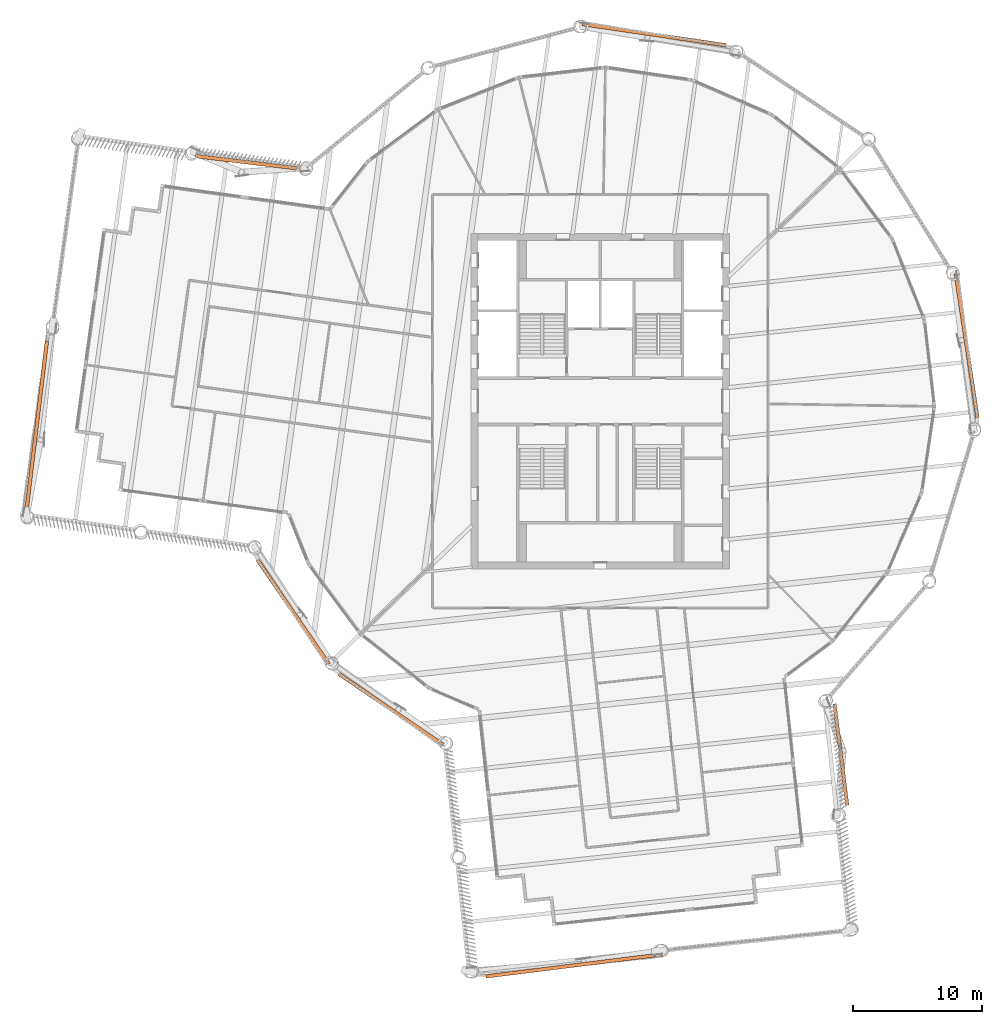
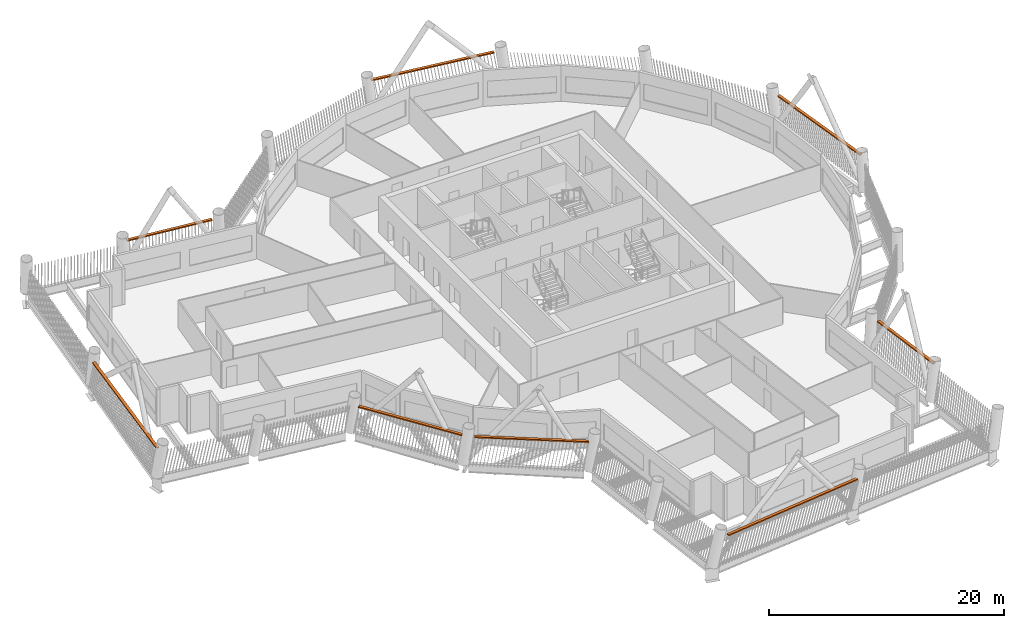
# One storey, part 21 of 21: 8 proxies.
"""IFC4 building model written with IfcOpenShell, lengths in metres."""

from ifc_helpers import new_model, si_unit, direction, frame, origin, origin_2d, place, context, subcontext, project, spatial, rectangle, extrude, material, type_object, element, save


model = new_model("IFC4")

# Units and contexts
model_context = context("Model", 3, precision=1e-05, world=origin(), true_north=direction((0.0, 1.0)))
body_context = subcontext(model_context, "Body", "Model", "MODEL_VIEW")
ifc_project = project(units=[si_unit("LENGTHUNIT", "METRE"), si_unit("AREAUNIT", "SQUARE_METRE"), si_unit("VOLUMEUNIT", "CUBIC_METRE"), si_unit("PLANEANGLEUNIT", "RADIAN"), si_unit("MASSUNIT", "GRAM", prefix="KILO")], contexts=[model_context])

# Site, building, storey
site_placement = place(None, origin())
site = spatial("IfcSite", under=ifc_project, at=site_placement, CompositionType="ELEMENT")
building_placement = place(site_placement, origin())
building = spatial("IfcBuilding", under=site, at=building_placement, Name="Tarsis Ring Headquarters", CompositionType="ELEMENT")
storey_placement = place(building_placement, frame((0.0, 0.0, 255.199951171875)))
storey = spatial("IfcBuildingStorey", under=building, at=storey_placement, Name="L59", CompositionType="ELEMENT", Elevation=255.199951171875)

# Proxies
ifc_material = material(Name="Structural steel S355", Category="steel")
building_element_proxy_type = type_object("IfcBuildingElementProxyType", Name="Screen bracket plate", PredefinedType="USERDEFINED", material=ifc_material)
proxy_1_placement = place(storey_placement, frame((-16.208251953125, -23.854248046875, 2.9677734375), z_axis=(0.0, 0.0, 1.0), x_axis=(0.827129455401, -0.56201144473, 0.0)))
element("IfcBuildingElementProxy", 1, at=proxy_1_placement, inside=storey, type_object=building_element_proxy_type, Name="Screen bracket L59-00", ObjectType="Bracket", PredefinedType="USERDEFINED", context=body_context, shape_type="SweptSolid", body=[
    extrude(rectangle(XDim=9.771728515625, YDim=0.280029296875, at=origin_2d()), origin(), (0.0, 0.0, 1.0), 0.1201171875),
])
proxy_2_placement = place(storey_placement, frame((-2.00146484375, -43.679931640625, 2.9677734375), z_axis=(0.0, 0.0, 1.0), x_axis=(0.992288725886, 0.123947910351, 0.0)))
element("IfcBuildingElementProxy", 2, at=proxy_2_placement, inside=storey, type_object=building_element_proxy_type, Name="Screen bracket L59-03", ObjectType="Bracket", PredefinedType="USERDEFINED", context=body_context, shape_type="SweptSolid", body=[
    extrude(rectangle(XDim=13.800048828125, YDim=0.280029296875, at=origin_2d()), origin(), (0.0, 0.0, 1.0), 0.1201171875),
])
proxy_3_placement = place(storey_placement, frame((18.62841796875, -27.3486328125, 2.9677734375), z_axis=(0.0, 0.0, 1.0), x_axis=(-0.123947806439, 0.992288738865, 0.0)))
element("IfcBuildingElementProxy", 3, at=proxy_3_placement, inside=storey, type_object=building_element_proxy_type, Name="Screen bracket L59-06", ObjectType="Bracket", PredefinedType="USERDEFINED", context=body_context, shape_type="SweptSolid", body=[
    extrude(rectangle(XDim=7.90234375, YDim=0.280029296875, at=origin_2d()), origin(), (0.0, 0.0, 1.0), 0.1201171875),
])
for number, where, z_axis, x_axis, name in (
    (4, (28.367431640625, 4.29345703125, 2.9677734375), (0.0, 0.0, 1.0), (-0.149643371711, 0.988740037271, 0.0), "Screen bracket L59-09"),
    (5, (4.174560546875, 28.38525390625, 2.9677734375), (0.0, 0.0, 1.0), (-0.989358188482, 0.145500429155, 0.0), "Screen bracket L59-12"),
):
    element("IfcBuildingElementProxy", number, at=place(storey_placement, frame(where, z_axis=z_axis, x_axis=x_axis)), inside=storey, type_object=building_element_proxy_type, Name=name, ObjectType="Bracket", PredefinedType="USERDEFINED", context=body_context, shape_type="SweptSolid", body=[
        extrude(rectangle(XDim=11.248779296875, YDim=0.280029296875, at=origin_2d()), origin(), (0.0, 0.0, 1.0), 0.1201171875),
    ])
proxy_4_placement = place(storey_placement, frame((-27.42626953125, 18.513671875, 2.9677734375), z_axis=(0.0, 0.0, 1.0), x_axis=(-0.992799227568, 0.119790207199, 0.0)))
element("IfcBuildingElementProxy", 6, at=proxy_4_placement, inside=storey, type_object=building_element_proxy_type, Name="Screen bracket L59-15", ObjectType="Bracket", PredefinedType="USERDEFINED", context=body_context, shape_type="SweptSolid", body=[
    extrude(rectangle(XDim=7.90234375, YDim=0.280029296875, at=origin_2d()), origin(), (0.0, 0.0, 1.0), 0.1201171875),
])
proxy_5_placement = place(storey_placement, frame((-43.671142578125, -2.184326171875, 2.9677734375), z_axis=(0.0, 0.0, 1.0), x_axis=(-0.119790276509, -0.992799219205, 0.0)))
element("IfcBuildingElementProxy", 7, at=proxy_5_placement, inside=storey, type_object=building_element_proxy_type, Name="Screen bracket L59-18", ObjectType="Bracket", PredefinedType="USERDEFINED", context=body_context, shape_type="SweptSolid", body=[
    extrude(rectangle(XDim=13.800048828125, YDim=0.280029296875, at=origin_2d()), origin(), (0.0, 0.0, 1.0), 0.1201171875),
])
proxy_6_placement = place(storey_placement, frame((-23.7861328125, -16.30810546875, 2.9677734375), z_axis=(0.0, 0.0, 1.0), x_axis=(0.565471219035, -0.824768028262, 0.0)))
element("IfcBuildingElementProxy", 8, at=proxy_6_placement, inside=storey, type_object=building_element_proxy_type, Name="Screen bracket L59-21", ObjectType="Bracket", PredefinedType="USERDEFINED", context=body_context, shape_type="SweptSolid", body=[
    extrude(rectangle(XDim=9.771728515625, YDim=0.280029296875, at=origin_2d()), origin(), (0.0, 0.0, 1.0), 0.1201171875),
])

save(model, "model.ifc")
